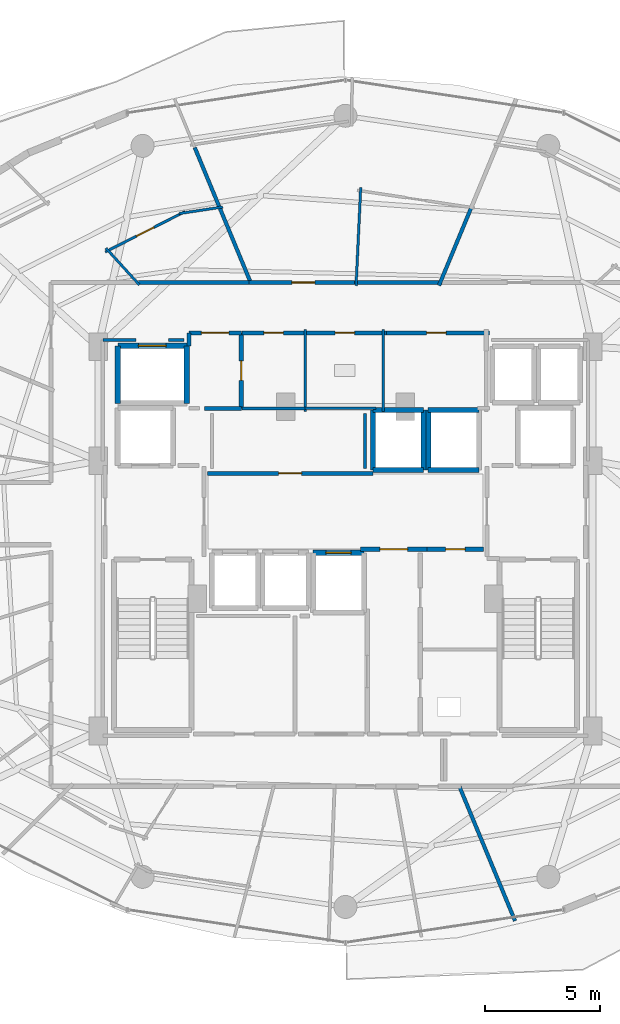
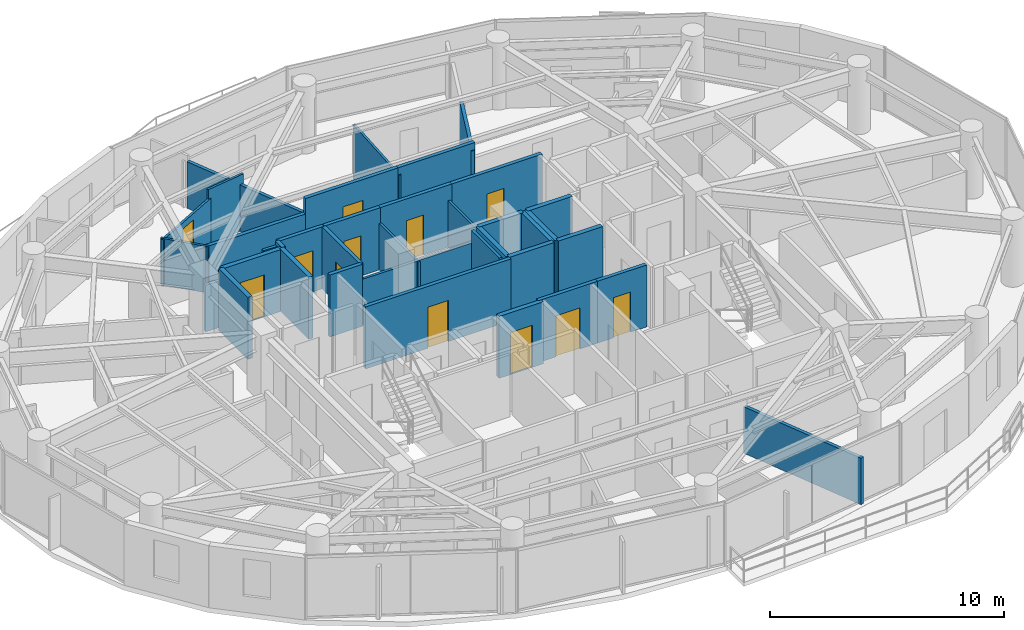
# One storey, part 23 of 29: 38 walls, 12 doors, 12 openings.
"""IFC4 building model written with IfcOpenShell, lengths in metres."""

from ifc_helpers import new_model, si_unit, direction, frame, frame_2d, origin, place, context, subcontext, project, spatial, rectangle, extrude, material, layer, layer_set, type_object, element, fill, save


model = new_model("IFC4")

# Units and contexts
model_context = context("Model", 3, precision=1e-05, world=origin(), true_north=direction((0.0, 1.0)))
body_context = subcontext(model_context, "Body", "Model", "MODEL_VIEW")
ifc_project = project(units=[si_unit("LENGTHUNIT", "METRE"), si_unit("AREAUNIT", "SQUARE_METRE"), si_unit("VOLUMEUNIT", "CUBIC_METRE"), si_unit("PLANEANGLEUNIT", "RADIAN"), si_unit("MASSUNIT", "GRAM", prefix="KILO")], contexts=[model_context])

# Site, building, storey
site_placement = place(None, origin())
site = spatial("IfcSite", under=ifc_project, at=site_placement, CompositionType="ELEMENT")
building_placement = place(site_placement, origin())
building = spatial("IfcBuilding", under=site, at=building_placement, Name="Vorneva Point Tower", CompositionType="ELEMENT")
storey_placement = place(building_placement, frame((0.0, 0.0, 167.60009765625)))
storey = spatial("IfcBuildingStorey", under=building, at=storey_placement, Name="L45", CompositionType="ELEMENT", Elevation=167.60009765625)

# Walls
ifc_material_1 = material(Name="Fire-rated acoustic gypsum stud partition", Category="gypsum")
ifc_layer_1 = layer(ifc_material_1, 0.110107421875)
ifc_layer_set_1 = layer_set([ifc_layer_1], Name="Fire-rated acoustic gypsum stud partition")
wall_type_1 = type_object("IfcWallType", Name="WL-PART-110", PredefinedType="PARTITIONING", material=ifc_layer_set_1)
for number, where, z_axis, x_axis, name in (
    (1, (36.25, 30.340087890625, 0.0), (0.0, 0.0, 1.0), (0.0, 1.0, 0.0), "L45 Interior Partition 019"),
    (2, (39.64990234375, 30.340087890625, 0.0), (0.0, 0.0, 1.0), (0.0, 1.0, 0.0), "L45 Interior Partition 022"),
):
    element("IfcWall", number, at=place(storey_placement, frame(where, z_axis=z_axis, x_axis=x_axis)), inside=storey, type_object=wall_type_1, Name=name, PredefinedType="PARTITIONING", context=body_context, shape_type="SweptSolid", body=[
        extrude(rectangle(XDim=3.559814453125, YDim=0.110107421875, at=frame_2d((1.77978515625, 0.0))), origin(), (0.0, 0.0, 1.0), 2.431884765625),
    ])
wall_1_placement = place(storey_placement, frame((36.159912109375, 30.47998046875, 0.0), z_axis=(0.0, 0.0, 1.0), x_axis=(1.0, 0.0, 0.0)))
element("IfcWall", 3, at=wall_1_placement, inside=storey, type_object=wall_type_1, Name="L45 Interior Partition 023", PredefinedType="PARTITIONING", context=body_context, shape_type="SweptSolid", body=[
    extrude(rectangle(XDim=3.16015625, YDim=0.110107421875, at=frame_2d((1.580078125, 0.0))), origin(), (0.0, 0.0, 1.0), 2.431884765625),
])
wall_2_placement = place(storey_placement, frame((38.46240234375, 35.810302734375, 0.0), z_axis=(0.0, 0.0, 1.0), x_axis=(0.047098053516, 0.998890270928, 0.0)))
element("IfcWall", 4, at=wall_2_placement, inside=storey, type_object=wall_type_1, Name="L45 Interior Partition 071", PredefinedType="PARTITIONING", context=body_context, shape_type="SweptSolid", body=[
    extrude(rectangle(XDim=4.271240234375, YDim=0.110107421875, at=frame_2d((2.1357421875, 0.0))), origin(), (0.0, 0.0, 1.0), 2.8740234375),
])
wall_3_placement = place(storey_placement, frame((29.040283203125, 35.846435546875, 0.0), z_axis=(0.0, 0.0, 1.0), x_axis=(-0.672886377769, 0.739745850014, 0.0)))
element("IfcWall", 5, at=wall_3_placement, inside=storey, type_object=wall_type_1, Name="L45 Interior Partition 077", PredefinedType="PARTITIONING", context=body_context, shape_type="SweptSolid", body=[
    extrude(rectangle(XDim=2.16162109375, YDim=0.110107421875, at=frame_2d((1.080810546875, 0.0))), origin(), (0.0, 0.0, 1.0), 2.431884765625),
])

# Wall, opening, door
wall_4_placement = place(storey_placement, frame((27.55517578125, 37.27880859375, 0.0), z_axis=(0.0, 0.0, 1.0), x_axis=(0.892457700076, 0.451131082475, 0.0)))
wall_4 = element("IfcWall", 6, at=wall_4_placement, inside=storey, type_object=wall_type_1, Name="L45 Interior Partition 078", PredefinedType="PARTITIONING", context=body_context, shape_type="SweptSolid", body=[
    extrude(rectangle(XDim=3.884521484375, YDim=0.110107421875, at=frame_2d((1.9423828125, 0.0))), origin(), (0.0, 0.0, 1.0), 2.431884765625),
])
opening_1_placement = place(wall_4_placement, frame((1.517333984375, 0.0, 0.0)))
opening_1 = element("IfcOpeningElement", 7, at=opening_1_placement, cuts=wall_4, Name="Opening ID-02", PredefinedType="OPENING", context=body_context, shape_type="SweptSolid", body=[
    extrude(rectangle(XDim=0.85009765625, YDim=2.10009765625, at=frame_2d((0.425048828125, 1.050048828125))), frame((0.0, 0.06982421875, 0.0), z_axis=(0.0, -1.0, 0.0), x_axis=(1.0, 0.0, 0.0)), (0.0, 0.0, 1.0), 0.139892578125),
])
ifc_material_2 = material(Name="Engineered oak fire-rated door leaf", Category="wood")
door_type_1 = type_object("IfcDoorType", Name="DR-BATH-850", OperationType="NOTDEFINED", PredefinedType="DOOR", material=ifc_material_2)
door_1_placement = place(opening_1_placement, origin())
door_1 = element("IfcDoor", 8, at=door_1_placement, inside=storey, type_object=door_type_1, Name="L45 Door Studio Apartment L45-03 / Bathroom L45-03", OperationType="SINGLE_SWING_LEFT", OverallHeight=2.10009765625, OverallWidth=0.85009765625, PredefinedType="DOOR", context=body_context, shape_type="SweptSolid", body=[
    extrude(rectangle(XDim=0.85009765625, YDim=2.10009765625, at=frame_2d((0.425048828125, 1.050048828125))), frame((0.0, 0.02490234375, 0.0), z_axis=(0.0, -1.0, 0.0), x_axis=(1.0, 0.0, 0.0)), (0.0, 0.0, 1.0), 0.050048828125),
])
fill(opening_1, door_1)

# Walls
wall_5_placement = place(storey_placement, frame((30.758544921875, 38.947265625, 0.0), z_axis=(0.0, 0.0, 1.0), x_axis=(0.988889867338, 0.148650026153, 0.0)))
element("IfcWall", 9, at=wall_5_placement, inside=storey, type_object=wall_type_1, Name="L45 Interior Partition 079", PredefinedType="PARTITIONING", context=body_context, shape_type="SweptSolid", body=[
    extrude(rectangle(XDim=1.92822265625, YDim=0.110107421875, at=frame_2d((0.964111328125, 0.0))), origin(), (0.0, 0.0, 1.0), 2.928955078125),
])
ifc_layer_2 = layer(ifc_material_1, 0.125)
ifc_layer_set_2 = layer_set([ifc_layer_2], Name="Fire-rated acoustic gypsum stud partition")
wall_type_2 = type_object("IfcWallType", Name="WL-PART-125", PredefinedType="PARTITIONING", material=ifc_layer_set_2)
wall_6_placement = place(storey_placement, frame((33.5, 30.47998046875, 0.0), z_axis=(0.0, 0.0, 1.0), x_axis=(1.0, 0.0, 0.0)))
element("IfcWall", 10, at=wall_6_placement, inside=storey, type_object=wall_type_2, Name="L45 Interior Partition 020", PredefinedType="PARTITIONING", context=body_context, shape_type="SweptSolid", body=[
    extrude(rectangle(XDim=2.75, YDim=0.125, at=frame_2d((1.375, 0.0))), origin(), (0.0, 0.0, 1.0), 2.431884765625),
])
ifc_layer_3 = layer(ifc_material_1, 0.139892578125)
ifc_layer_set_3 = layer_set([ifc_layer_3], Name="Fire-rated acoustic gypsum stud partition")
wall_type_3 = type_object("IfcWallType", Name="WL-PART-140", PredefinedType="PARTITIONING", material=ifc_layer_set_3)
wall_7_placement = place(storey_placement, frame((38.85009765625, 27.8701171875, 0.0), z_axis=(0.0, 0.0, 1.0), x_axis=(0.0, 1.0, 0.0)))
element("IfcWall", 11, at=wall_7_placement, inside=storey, type_object=wall_type_3, Name="L45 Interior Closure Partition 120", PredefinedType="PARTITIONING", context=body_context, shape_type="SweptSolid", body=[
    extrude(rectangle(XDim=2.389892578125, YDim=0.139892578125, at=frame_2d((1.19482421875, 0.0))), origin(), (0.0, 0.0, 1.0), 3.239990234375),
])
wall_8_placement = place(storey_placement, frame((30.97998046875, 33.449951171875, 0.0), z_axis=(0.0, 0.0, 1.0), x_axis=(-1.0, 0.0, 0.0)))
element("IfcWall", 12, at=wall_8_placement, inside=storey, type_object=wall_type_3, Name="L45 Interior Closure Partition 124", PredefinedType="PARTITIONING", context=body_context, shape_type="SweptSolid", body=[
    extrude(rectangle(XDim=0.674072265625, YDim=0.139892578125, at=frame_2d((0.3369140625, 0.0))), origin(), (0.0, 0.0, 1.0), 3.239990234375),
])
wall_9_placement = place(storey_placement, frame((28.89404296875, 33.449951171875, 0.0), z_axis=(0.0, 0.0, 1.0), x_axis=(-1.0, 0.0, 0.0)))
element("IfcWall", 13, at=wall_9_placement, inside=storey, type_object=wall_type_3, Name="L45 Interior Closure Partition 125", PredefinedType="PARTITIONING", context=body_context, shape_type="SweptSolid", body=[
    extrude(rectangle(XDim=1.444091796875, YDim=0.139892578125, at=frame_2d((0.72216796875, 0.0))), origin(), (0.0, 0.0, 1.0), 2.431884765625),
])
ifc_layer_4 = layer(ifc_material_1, 0.159912109375)
ifc_layer_set_4 = layer_set([ifc_layer_4], Name="Fire-rated acoustic gypsum stud partition")
wall_type_4 = type_object("IfcWallType", Name="WL-PART-160", PredefinedType="PARTITIONING", material=ifc_layer_set_4)
wall_10_placement = place(storey_placement, frame((43.503173828125, 39.28515625, 0.0), z_axis=(0.0, 0.0, 1.0), x_axis=(-0.382867331148, -0.923803337697, 0.0)))
element("IfcWall", 14, at=wall_10_placement, inside=storey, type_object=wall_type_4, Name="L45 Interior Partition 068", PredefinedType="PARTITIONING", context=body_context, shape_type="SweptSolid", body=[
    extrude(rectangle(XDim=3.75, YDim=0.159912109375, at=frame_2d((1.875, 0.0))), origin(), (0.0, 0.0, 1.0), 2.8740234375),
])
wall_11_placement = place(storey_placement, frame((31.448486328125, 41.816650390625, 0.0), z_axis=(0.0, 0.0, 1.0), x_axis=(0.382730952295, -0.92385984768, 0.0)))
element("IfcWall", 15, at=wall_11_placement, inside=storey, type_object=wall_type_4, Name="L45 Interior Partition 076", PredefinedType="PARTITIONING", context=body_context, shape_type="SweptSolid", body=[
    extrude(rectangle(XDim=6.35009765625, YDim=0.159912109375, at=frame_2d((3.175048828125, 0.0))), origin(), (0.0, 0.0, 1.0), 2.431884765625),
])
wall_12_placement = place(storey_placement, frame((45.3759765625, 8.193115234375, 0.0), z_axis=(0.0, 0.0, 1.0), x_axis=(-0.382683979298, 0.923879305964, 0.0)))
element("IfcWall", 16, at=wall_12_placement, inside=storey, type_object=wall_type_4, Name="L45 Interior Partition 111", PredefinedType="PARTITIONING", context=body_context, shape_type="SweptSolid", body=[
    extrude(rectangle(XDim=6.339599609375, YDim=0.159912109375, at=frame_2d((3.169921875, 0.0))), origin(), (0.0, 0.0, 1.0), 2.431884765625),
])

# Wall, opening, door
ifc_material_3 = material(Name="Autoclaved aerated concrete blockwork", Category="masonry")
ifc_layer_5 = layer(ifc_material_3, 0.179931640625)
ifc_layer_set_5 = layer_set([ifc_layer_5], Name="Autoclaved aerated concrete blockwork")
wall_type_5 = type_object("IfcWallType", Name="WL-PART-180", PredefinedType="PARTITIONING", material=ifc_layer_set_5)
wall_13_placement = place(storey_placement, frame((33.469970703125, 30.47998046875, 0.0), z_axis=(0.0, 0.0, 1.0), x_axis=(0.0, 1.0, 0.0)))
wall_13 = element("IfcWall", 17, at=wall_13_placement, inside=storey, type_object=wall_type_5, Name="L45 Interior Partition 006", PredefinedType="PARTITIONING", context=body_context, shape_type="SweptSolid", body=[
    extrude(rectangle(XDim=3.280029296875, YDim=0.179931640625, at=frame_2d((1.64013671875, 0.0))), origin(), (0.0, 0.0, 1.0), 3.239990234375),
])
opening_2_placement = place(wall_13_placement, frame((1.215087890625, 0.0, 0.0)))
opening_2 = element("IfcOpeningElement", 18, at=opening_2_placement, cuts=wall_13, Name="Opening ID-02", PredefinedType="OPENING", context=body_context, shape_type="SweptSolid", body=[
    extrude(rectangle(XDim=0.85009765625, YDim=2.10009765625, at=frame_2d((0.425048828125, 1.050048828125))), frame((0.0, 0.10498046875, 0.0), z_axis=(0.0, -1.0, 0.0), x_axis=(1.0, 0.0, 0.0)), (0.0, 0.0, 1.0), 0.209716796875),
])
door_2_placement = place(opening_2_placement, origin())
door_2 = element("IfcDoor", 19, at=door_2_placement, inside=storey, type_object=door_type_1, Name="L45 Door Service Lift Lobby / Core Supply Store", OperationType="SINGLE_SWING_RIGHT", OverallHeight=2.10009765625, OverallWidth=0.85009765625, PredefinedType="DOOR", context=body_context, shape_type="SweptSolid", body=[
    extrude(rectangle(XDim=0.85009765625, YDim=2.10009765625, at=frame_2d((0.425048828125, 1.050048828125))), frame((0.0, 0.02490234375, 0.0), z_axis=(0.0, -1.0, 0.0), x_axis=(1.0, 0.0, 0.0)), (0.0, 0.0, 1.0), 0.050048828125),
])
fill(opening_2, door_2)

# Wall
wall_14_placement = place(storey_placement, frame((31.8701171875, 30.47998046875, 0.0), z_axis=(0.0, 0.0, 1.0), x_axis=(1.0, 0.0, 0.0)))
element("IfcWall", 20, at=wall_14_placement, inside=storey, type_object=wall_type_5, Name="L45 Interior Partition 007", PredefinedType="PARTITIONING", context=body_context, shape_type="SweptSolid", body=[
    extrude(rectangle(XDim=1.599853515625, YDim=0.179931640625, at=frame_2d((0.7998046875, 0.0))), origin(), (0.0, 0.0, 1.0), 3.239990234375),
])

# Wall, opening, door
wall_15_placement = place(storey_placement, frame((33.469970703125, 33.760009765625, 0.0), z_axis=(0.0, 0.0, 1.0), x_axis=(-1.0, 0.0, 0.0)))
wall_15 = element("IfcWall", 21, at=wall_15_placement, inside=storey, type_object=wall_type_5, Name="L45 Interior Partition 008", PredefinedType="PARTITIONING", context=body_context, shape_type="SweptSolid", body=[
    extrude(rectangle(XDim=2.27001953125, YDim=0.179931640625, at=frame_2d((1.135009765625, 0.0))), origin(), (0.0, 0.0, 1.0), 3.239990234375),
])
opening_3_placement = place(wall_15_placement, frame((0.534912109375, 0.0, 0.0)))
opening_3 = element("IfcOpeningElement", 22, at=opening_3_placement, cuts=wall_15, Name="Opening FD-02", PredefinedType="OPENING", context=body_context, shape_type="SweptSolid", body=[
    extrude(rectangle(XDim=1.199951171875, YDim=2.14990234375, at=frame_2d((0.60009765625, 1.074951171875))), frame((0.0, 0.10498046875, 0.0), z_axis=(0.0, -1.0, 0.0), x_axis=(1.0, 0.0, 0.0)), (0.0, 0.0, 1.0), 0.209716796875),
])
ifc_material_4 = material(Name="Fire-rated powder-coated steel", Category="steel")
door_type_2 = type_object("IfcDoorType", Name="DR-FFL-1200", OperationType="NOTDEFINED", PredefinedType="DOOR", material=ifc_material_4)
door_3_placement = place(opening_3_placement, origin())
door_3 = element("IfcDoor", 23, at=door_3_placement, inside=storey, type_object=door_type_2, Name="L45 Door Service Lift Lobby / L45 Circulation Corridor", OperationType="SINGLE_SWING_LEFT", OverallHeight=2.14990234375, OverallWidth=1.199951171875, PredefinedType="DOOR", context=body_context, shape_type="SweptSolid", body=[
    extrude(rectangle(XDim=1.199951171875, YDim=2.14990234375, at=frame_2d((0.60009765625, 1.074951171875))), frame((0.0, 0.02490234375, 0.0), z_axis=(0.0, -1.0, 0.0), x_axis=(1.0, 0.0, 0.0)), (0.0, 0.0, 1.0), 0.050048828125),
])
fill(opening_3, door_3)

# Wall
wall_16_placement = place(storey_placement, frame((31.199951171875, 33.760009765625, 0.0), z_axis=(0.0, 0.0, 1.0), x_axis=(0.0, -1.0, 0.0)))
element("IfcWall", 24, at=wall_16_placement, inside=storey, type_object=wall_type_5, Name="L45 Interior Partition 009", PredefinedType="PARTITIONING", context=body_context, shape_type="SweptSolid", body=[
    extrude(rectangle(XDim=0.56005859375, YDim=0.179931640625, at=frame_2d((0.280029296875, 0.0))), origin(), (0.0, 0.0, 1.0), 3.239990234375),
])

# Wall, opening, door
wall_17_placement = place(storey_placement, frame((38.64501953125, 24.35009765625, 0.0), z_axis=(0.0, 0.0, 1.0), x_axis=(1.0, 0.0, 0.0)))
wall_17 = element("IfcWall", 25, at=wall_17_placement, inside=storey, type_object=wall_type_5, Name="L45 Interior Partition 010", PredefinedType="PARTITIONING", context=body_context, shape_type="SweptSolid", body=[
    extrude(rectangle(XDim=2.909912109375, YDim=0.179931640625, at=frame_2d((1.455078125, 0.0))), origin(), (0.0, 0.0, 1.0), 3.239990234375),
])
opening_4_placement = place(wall_17_placement, frame((0.85498046875, 0.0, 0.0)))
opening_4 = element("IfcOpeningElement", 26, at=opening_4_placement, cuts=wall_17, Name="Opening FD-02", PredefinedType="OPENING", context=body_context, shape_type="SweptSolid", body=[
    extrude(rectangle(XDim=1.199951171875, YDim=2.14990234375, at=frame_2d((0.60009765625, 1.074951171875))), frame((0.0, 0.10498046875, 0.0), z_axis=(0.0, -1.0, 0.0), x_axis=(1.0, 0.0, 0.0)), (0.0, 0.0, 1.0), 0.209716796875),
])
door_4_placement = place(opening_4_placement, origin())
door_4 = element("IfcDoor", 27, at=door_4_placement, inside=storey, type_object=door_type_2, Name="L45 Door Central Lift Lobby / Core Service Lobby", OperationType="SINGLE_SWING_RIGHT", OverallHeight=2.14990234375, OverallWidth=1.199951171875, PredefinedType="DOOR", context=body_context, shape_type="SweptSolid", body=[
    extrude(rectangle(XDim=1.199951171875, YDim=2.14990234375, at=frame_2d((0.60009765625, 1.074951171875))), frame((0.0, 0.02490234375, 0.0), z_axis=(0.0, -1.0, 0.0), x_axis=(1.0, 0.0, 0.0)), (0.0, 0.0, 1.0), 0.050048828125),
])
fill(opening_4, door_4)

wall_18_placement = place(storey_placement, frame((41.554931640625, 24.35009765625, 0.0), z_axis=(0.0, 0.0, 1.0), x_axis=(1.0, 0.0, 0.0)))
wall_18 = element("IfcWall", 28, at=wall_18_placement, inside=storey, type_object=wall_type_5, Name="L45 Interior Partition 011", PredefinedType="PARTITIONING", context=body_context, shape_type="SweptSolid", body=[
    extrude(rectangle(XDim=2.445068359375, YDim=0.179931640625, at=frame_2d((1.22265625, 0.0))), origin(), (0.0, 0.0, 1.0), 3.239990234375),
])
opening_5_placement = place(wall_18_placement, frame((0.797607421875, 0.0, 0.0)))
opening_5 = element("IfcOpeningElement", 29, at=opening_5_placement, cuts=wall_18, Name="Opening ID-02", PredefinedType="OPENING", context=body_context, shape_type="SweptSolid", body=[
    extrude(rectangle(XDim=0.85009765625, YDim=2.10009765625, at=frame_2d((0.425048828125, 1.050048828125))), frame((0.0, 0.10498046875, 0.0), z_axis=(0.0, -1.0, 0.0), x_axis=(1.0, 0.0, 0.0)), (0.0, 0.0, 1.0), 0.209716796875),
])
door_5_placement = place(opening_5_placement, origin())
door_5 = element("IfcDoor", 30, at=door_5_placement, inside=storey, type_object=door_type_1, Name="L45 Door Central Lift Lobby / Valet and Parcel Room", OperationType="SINGLE_SWING_LEFT", OverallHeight=2.10009765625, OverallWidth=0.85009765625, PredefinedType="DOOR", context=body_context, shape_type="SweptSolid", body=[
    extrude(rectangle(XDim=0.85009765625, YDim=2.10009765625, at=frame_2d((0.425048828125, 1.050048828125))), frame((0.0, 0.02490234375, 0.0), z_axis=(0.0, -1.0, 0.0), x_axis=(1.0, 0.0, 0.0)), (0.0, 0.0, 1.0), 0.050048828125),
])
fill(opening_5, door_5)

wall_19_placement = place(storey_placement, frame((39.18994140625, 27.64990234375, 0.0), z_axis=(0.0, 0.0, 1.0), x_axis=(-1.0, 0.0, 0.0)))
wall_19 = element("IfcWall", 31, at=wall_19_placement, inside=storey, type_object=wall_type_5, Name="L45 Interior Partition 012", PredefinedType="PARTITIONING", context=body_context, shape_type="SweptSolid", body=[
    extrude(rectangle(XDim=7.18994140625, YDim=0.179931640625, at=frame_2d((3.594970703125, 0.0))), origin(), (0.0, 0.0, 1.0), 3.239990234375),
])
opening_6_placement = place(wall_19_placement, frame((3.094970703125, 0.0, 0.0)))
opening_6 = element("IfcOpeningElement", 32, at=opening_6_placement, cuts=wall_19, Name="Opening UD-01", PredefinedType="OPENING", context=body_context, shape_type="SweptSolid", body=[
    extrude(rectangle(XDim=1.0, YDim=2.14990234375, at=frame_2d((0.5, 1.074951171875))), frame((0.0, 0.10498046875, 0.0), z_axis=(0.0, -1.0, 0.0), x_axis=(1.0, 0.0, 0.0)), (0.0, 0.0, 1.0), 0.209716796875),
])
door_type_3 = type_object("IfcDoorType", Name="DR-UNIT-1000", OperationType="NOTDEFINED", PredefinedType="DOOR", material=ifc_material_2)
door_6_placement = place(opening_6_placement, origin())
door_6 = element("IfcDoor", 33, at=door_6_placement, inside=storey, type_object=door_type_3, Name="L45 Door Central Lift Lobby / Reclaimed Core Meeting Room", OperationType="SINGLE_SWING_RIGHT", OverallHeight=2.14990234375, OverallWidth=1.0, PredefinedType="DOOR", context=body_context, shape_type="SweptSolid", body=[
    extrude(rectangle(XDim=1.0, YDim=2.14990234375, at=frame_2d((0.5, 1.074951171875))), frame((0.0, 0.02490234375, 0.0), z_axis=(0.0, -1.0, 0.0), x_axis=(1.0, 0.0, 0.0)), (0.0, 0.0, 1.0), 0.050048828125),
])
fill(opening_6, door_6)

wall_20_placement = place(storey_placement, frame((36.25, 33.760009765625, 0.0), z_axis=(0.0, 0.0, 1.0), x_axis=(-1.0, 0.0, 0.0)))
wall_20 = element("IfcWall", 34, at=wall_20_placement, inside=storey, type_object=wall_type_5, Name="L45 Interior Partition 021", PredefinedType="PARTITIONING", context=body_context, shape_type="SweptSolid", body=[
    extrude(rectangle(XDim=2.75, YDim=0.179931640625, at=frame_2d((1.375, 0.0))), origin(), (0.0, 0.0, 1.0), 3.239990234375),
])
opening_7_placement = place(wall_20_placement, frame((0.949951171875, 0.0, 0.0)))
opening_7 = element("IfcOpeningElement", 35, at=opening_7_placement, cuts=wall_20, Name="Opening ID-02", PredefinedType="OPENING", context=body_context, shape_type="SweptSolid", body=[
    extrude(rectangle(XDim=0.85009765625, YDim=2.10009765625, at=frame_2d((0.425048828125, 1.050048828125))), frame((0.0, 0.10498046875, 0.0), z_axis=(0.0, -1.0, 0.0), x_axis=(1.0, 0.0, 0.0)), (0.0, 0.0, 1.0), 0.209716796875),
])
door_7_placement = place(opening_7_placement, origin())
door_7 = element("IfcDoor", 36, at=door_7_placement, inside=storey, type_object=door_type_1, Name="L45 Door Core Supply Store / L45 Circulation Corridor", OperationType="SINGLE_SWING_RIGHT", OverallHeight=2.10009765625, OverallWidth=0.85009765625, PredefinedType="DOOR", context=body_context, shape_type="SweptSolid", body=[
    extrude(rectangle(XDim=0.85009765625, YDim=2.10009765625, at=frame_2d((0.425048828125, 1.050048828125))), frame((0.0, 0.02490234375, 0.0), z_axis=(0.0, -1.0, 0.0), x_axis=(1.0, 0.0, 0.0)), (0.0, 0.0, 1.0), 0.050048828125),
])
fill(opening_7, door_7)

wall_21_placement = place(storey_placement, frame((39.7900390625, 33.760009765625, 0.0), z_axis=(0.0, 0.0, 1.0), x_axis=(-1.0, 0.0, 0.0)))
wall_21 = element("IfcWall", 37, at=wall_21_placement, inside=storey, type_object=wall_type_5, Name="L45 Interior Partition 024", PredefinedType="PARTITIONING", context=body_context, shape_type="SweptSolid", body=[
    extrude(rectangle(XDim=3.630126953125, YDim=0.179931640625, at=frame_2d((1.81494140625, 0.0))), origin(), (0.0, 0.0, 1.0), 3.239990234375),
])
opening_8_placement = place(wall_21_placement, frame((1.389892578125, 0.0, 0.0)))
opening_8 = element("IfcOpeningElement", 38, at=opening_8_placement, cuts=wall_21, Name="Opening ID-02", PredefinedType="OPENING", context=body_context, shape_type="SweptSolid", body=[
    extrude(rectangle(XDim=0.85009765625, YDim=2.10009765625, at=frame_2d((0.425048828125, 1.050048828125))), frame((0.0, 0.10498046875, 0.0), z_axis=(0.0, -1.0, 0.0), x_axis=(1.0, 0.0, 0.0)), (0.0, 0.0, 1.0), 0.209716796875),
])
door_8_placement = place(opening_8_placement, origin())
door_8 = element("IfcDoor", 39, at=door_8_placement, inside=storey, type_object=door_type_1, Name="L45 Door Accessible WC / L45 Circulation Corridor", OperationType="SINGLE_SWING_LEFT", OverallHeight=2.10009765625, OverallWidth=0.85009765625, PredefinedType="DOOR", context=body_context, shape_type="SweptSolid", body=[
    extrude(rectangle(XDim=0.85009765625, YDim=2.10009765625, at=frame_2d((0.425048828125, 1.050048828125))), frame((0.0, 0.02490234375, 0.0), z_axis=(0.0, -1.0, 0.0), x_axis=(1.0, 0.0, 0.0)), (0.0, 0.0, 1.0), 0.050048828125),
])
fill(opening_8, door_8)

wall_22_placement = place(storey_placement, frame((44.260009765625, 33.760009765625, 0.0), z_axis=(0.0, 0.0, 1.0), x_axis=(-1.0, 0.0, 0.0)))
wall_22 = element("IfcWall", 40, at=wall_22_placement, inside=storey, type_object=wall_type_5, Name="L45 Interior Partition 025", PredefinedType="PARTITIONING", context=body_context, shape_type="SweptSolid", body=[
    extrude(rectangle(XDim=4.610107421875, YDim=0.179931640625, at=frame_2d((2.30517578125, 0.0))), origin(), (0.0, 0.0, 1.0), 3.239990234375),
])
opening_9_placement = place(wall_22_placement, frame((1.8798828125, 0.0, 0.0)))
opening_9 = element("IfcOpeningElement", 41, at=opening_9_placement, cuts=wall_22, Name="Opening ID-02", PredefinedType="OPENING", context=body_context, shape_type="SweptSolid", body=[
    extrude(rectangle(XDim=0.85009765625, YDim=2.10009765625, at=frame_2d((0.425048828125, 1.050048828125))), frame((0.0, 0.10498046875, 0.0), z_axis=(0.0, -1.0, 0.0), x_axis=(1.0, 0.0, 0.0)), (0.0, 0.0, 1.0), 0.209716796875),
])
door_9_placement = place(opening_9_placement, origin())
door_9 = element("IfcDoor", 42, at=door_9_placement, inside=storey, type_object=door_type_1, Name="L45 Door Public WC / L45 Circulation Corridor", OperationType="SINGLE_SWING_RIGHT", OverallHeight=2.10009765625, OverallWidth=0.85009765625, PredefinedType="DOOR", context=body_context, shape_type="SweptSolid", body=[
    extrude(rectangle(XDim=0.85009765625, YDim=2.10009765625, at=frame_2d((0.425048828125, 1.050048828125))), frame((0.0, 0.02490234375, 0.0), z_axis=(0.0, -1.0, 0.0), x_axis=(1.0, 0.0, 0.0)), (0.0, 0.0, 1.0), 0.050048828125),
])
fill(opening_9, door_9)

wall_23_placement = place(storey_placement, frame((38.529052734375, 35.949951171875, 0.0), z_axis=(0.0, 0.0, 1.0), x_axis=(-1.0, 0.0, 0.0)))
wall_23 = element("IfcWall", 43, at=wall_23_placement, inside=storey, type_object=wall_type_5, Name="L45 Interior Partition 033", PredefinedType="PARTITIONING", context=body_context, shape_type="SweptSolid", body=[
    extrude(rectangle(XDim=4.715087890625, YDim=0.179931640625, at=frame_2d((2.357421875, 0.0))), origin(), (0.0, 0.0, 1.0), 3.239990234375),
])
opening_10_placement = place(wall_23_placement, frame((1.857421875, 0.0, 0.0)))
opening_10 = element("IfcOpeningElement", 44, at=opening_10_placement, cuts=wall_23, Name="Opening UD-01", PredefinedType="OPENING", context=body_context, shape_type="SweptSolid", body=[
    extrude(rectangle(XDim=1.0, YDim=2.14990234375, at=frame_2d((0.5, 1.074951171875))), frame((0.0, 0.10498046875, 0.0), z_axis=(0.0, -1.0, 0.0), x_axis=(1.0, 0.0, 0.0)), (0.0, 0.0, 1.0), 0.209716796875),
])
door_10_placement = place(opening_10_placement, origin())
door_10 = element("IfcDoor", 45, at=door_10_placement, inside=storey, type_object=door_type_3, Name="L45 Door L45 Circulation Corridor / Studio Apartment L45-02", OperationType="SINGLE_SWING_RIGHT", OverallHeight=2.14990234375, OverallWidth=1.0, PredefinedType="DOOR", context=body_context, shape_type="SweptSolid", body=[
    extrude(rectangle(XDim=1.0, YDim=2.14990234375, at=frame_2d((0.5, 1.074951171875))), frame((0.0, 0.02490234375, 0.0), z_axis=(0.0, -1.0, 0.0), x_axis=(1.0, 0.0, 0.0)), (0.0, 0.0, 1.0), 0.050048828125),
])
fill(opening_10, door_10)

# Walls
wall_24_placement = place(storey_placement, frame((42.200927734375, 35.949951171875, 0.0), z_axis=(0.0, 0.0, 1.0), x_axis=(-1.0, 0.0, 0.0)))
element("IfcWall", 46, at=wall_24_placement, inside=storey, type_object=wall_type_5, Name="L45 Interior Partition 034", PredefinedType="PARTITIONING", context=body_context, shape_type="SweptSolid", body=[
    extrude(rectangle(XDim=3.81201171875, YDim=0.179931640625, at=frame_2d((1.906005859375, 0.0))), origin(), (0.0, 0.0, 1.0), 3.239990234375),
])
wall_25_placement = place(storey_placement, frame((33.9541015625, 35.949951171875, 0.0), z_axis=(0.0, 0.0, 1.0), x_axis=(-1.0, 0.0, 0.0)))
element("IfcWall", 47, at=wall_25_placement, inside=storey, type_object=wall_type_5, Name="L45 Interior Partition 037", PredefinedType="PARTITIONING", context=body_context, shape_type="SweptSolid", body=[
    extrude(rectangle(XDim=5.088134765625, YDim=0.179931640625, at=frame_2d((2.5439453125, 0.0))), origin(), (0.0, 0.0, 1.0), 2.431884765625),
])

# Wall, opening, door
ifc_material_5 = material(Name="Concrete B50 (C40/50)", Category="concrete")
ifc_layer_6 = layer(ifc_material_5, 0.219970703125)
ifc_layer_set_6 = layer_set([ifc_layer_6], Name="Concrete B50 (C40/50)")
wall_type_6 = type_object("IfcWallType", Name="WL-SHFT-220", PredefinedType="SOLIDWALL", material=ifc_layer_set_6)
wall_26_placement = place(storey_placement, frame((38.800048828125, 24.199951171875, 0.0), z_axis=(0.0, 0.0, 1.0), x_axis=(-1.0, 0.0, 0.0)))
wall_26 = element("IfcWall", 48, at=wall_26_placement, inside=storey, type_object=wall_type_6, Name="L45 Lift PL6 Shaft Wall +Y", PredefinedType="SOLIDWALL", context=body_context, shape_type="SweptSolid", body=[
    extrude(rectangle(XDim=2.199951171875, YDim=0.219970703125, at=frame_2d((1.10009765625, 0.0))), origin(), (0.0, 0.0, 1.0), 3.239990234375),
])
opening_11_placement = place(wall_26_placement, frame((0.550048828125, 0.0, 0.0)))
opening_11 = element("IfcOpeningElement", 49, at=opening_11_placement, cuts=wall_26, Name="Opening LD-01", PredefinedType="OPENING", context=body_context, shape_type="SweptSolid", body=[
    extrude(rectangle(XDim=1.10009765625, YDim=2.199951171875, at=frame_2d((0.550048828125, 1.10009765625))), frame((0.0, 0.125, 0.0), z_axis=(0.0, -1.0, 0.0), x_axis=(1.0, 0.0, 0.0)), (0.0, 0.0, 1.0), 0.249755859375),
])
ifc_material_6 = material(Name="Brushed stainless steel S304", Category="steel")
door_type_4 = type_object("IfcDoorType", Name="LD-PASS-1100", OperationType="SLIDING_TO_LEFT", PredefinedType="DOOR", material=ifc_material_6)
door_11_placement = place(opening_11_placement, origin())
door_11 = element("IfcDoor", 50, at=door_11_placement, inside=storey, type_object=door_type_4, Name="L45 Lift PL6 Sliding Landing Door", OperationType="SLIDING_TO_LEFT", OverallHeight=2.199951171875, OverallWidth=1.10009765625, PredefinedType="DOOR", context=body_context, shape_type="SweptSolid", body=[
    extrude(rectangle(XDim=1.10009765625, YDim=2.199951171875, at=frame_2d((0.550048828125, 1.10009765625))), frame((0.0, 0.02490234375, 0.0), z_axis=(0.0, -1.0, 0.0), x_axis=(1.0, 0.0, 0.0)), (0.0, 0.0, 1.0), 0.050048828125),
])
fill(opening_11, door_11)

# Walls
wall_27_placement = place(storey_placement, frame((39.199951171875, 27.800048828125, 0.0), z_axis=(0.0, 0.0, 1.0), x_axis=(1.0, 0.0, 0.0)))
element("IfcWall", 51, at=wall_27_placement, inside=storey, type_object=wall_type_6, Name="L45 Lift PL7 Shaft Wall -Y", PredefinedType="SOLIDWALL", context=body_context, shape_type="SweptSolid", body=[
    extrude(rectangle(XDim=2.199951171875, YDim=0.219970703125, at=frame_2d((1.10009765625, 0.0))), origin(), (0.0, 0.0, 1.0), 3.239990234375),
])
wall_28_placement = place(storey_placement, frame((41.39990234375, 27.800048828125, 0.0), z_axis=(0.0, 0.0, 1.0), x_axis=(0.0, 1.0, 0.0)))
element("IfcWall", 52, at=wall_28_placement, inside=storey, type_object=wall_type_6, Name="L45 Lift PL7 Shaft Wall +X", PredefinedType="SOLIDWALL", context=body_context, shape_type="SweptSolid", body=[
    extrude(rectangle(XDim=2.599853515625, YDim=0.219970703125, at=frame_2d((1.2998046875, 0.0))), origin(), (0.0, 0.0, 1.0), 3.239990234375),
])
wall_29_placement = place(storey_placement, frame((41.39990234375, 30.39990234375, 0.0), z_axis=(0.0, 0.0, 1.0), x_axis=(-1.0, 0.0, 0.0)))
element("IfcWall", 53, at=wall_29_placement, inside=storey, type_object=wall_type_6, Name="L45 Lift PL7 Shaft Wall +Y", PredefinedType="SOLIDWALL", context=body_context, shape_type="SweptSolid", body=[
    extrude(rectangle(XDim=2.199951171875, YDim=0.219970703125, at=frame_2d((1.10009765625, 0.0))), origin(), (0.0, 0.0, 1.0), 3.239990234375),
])
wall_30_placement = place(storey_placement, frame((39.199951171875, 30.39990234375, 0.0), z_axis=(0.0, 0.0, 1.0), x_axis=(0.0, -1.0, 0.0)))
element("IfcWall", 54, at=wall_30_placement, inside=storey, type_object=wall_type_6, Name="L45 Lift PL7 Shaft Wall -X", PredefinedType="SOLIDWALL", context=body_context, shape_type="SweptSolid", body=[
    extrude(rectangle(XDim=2.599853515625, YDim=0.219970703125, at=frame_2d((1.2998046875, 0.0))), origin(), (0.0, 0.0, 1.0), 3.239990234375),
])
for number, where, z_axis, x_axis, name in (
    (55, (41.60009765625, 27.800048828125, 0.0), (0.0, 0.0, 1.0), (1.0, 0.0, 0.0), "L45 Lift PL8 Shaft Wall -Y"),
    (56, (43.800048828125, 30.39990234375, 0.0), (0.0, 0.0, 1.0), (-1.0, 0.0, 0.0), "L45 Lift PL8 Shaft Wall +Y"),
):
    element("IfcWall", number, at=place(storey_placement, frame(where, z_axis=z_axis, x_axis=x_axis)), inside=storey, type_object=wall_type_6, Name=name, PredefinedType="SOLIDWALL", context=body_context, shape_type="SweptSolid", body=[
        extrude(rectangle(XDim=2.199951171875, YDim=0.219970703125, at=frame_2d((1.10009765625, 0.0))), origin(), (0.0, 0.0, 1.0), 3.239990234375),
    ])
wall_31_placement = place(storey_placement, frame((41.60009765625, 30.39990234375, 0.0), z_axis=(0.0, 0.0, 1.0), x_axis=(0.0, -1.0, 0.0)))
element("IfcWall", 57, at=wall_31_placement, inside=storey, type_object=wall_type_6, Name="L45 Lift PL8 Shaft Wall -X", PredefinedType="SOLIDWALL", context=body_context, shape_type="SweptSolid", body=[
    extrude(rectangle(XDim=2.599853515625, YDim=0.219970703125, at=frame_2d((1.2998046875, 0.0))), origin(), (0.0, 0.0, 1.0), 3.239990234375),
])
wall_32_placement = place(storey_placement, frame((31.10009765625, 30.699951171875, 0.0), z_axis=(0.0, 0.0, 1.0), x_axis=(0.0, 1.0, 0.0)))
element("IfcWall", 58, at=wall_32_placement, inside=storey, type_object=wall_type_6, Name="L45 Lift SVL1 Shaft Wall +X", PredefinedType="SOLIDWALL", context=body_context, shape_type="SweptSolid", body=[
    extrude(rectangle(XDim=2.5, YDim=0.219970703125, at=frame_2d((1.25, 0.0))), origin(), (0.0, 0.0, 1.0), 3.239990234375),
])

# Wall, opening, door
wall_33_placement = place(storey_placement, frame((31.10009765625, 33.199951171875, 0.0), z_axis=(0.0, 0.0, 1.0), x_axis=(-1.0, 0.0, 0.0)))
wall_33 = element("IfcWall", 59, at=wall_33_placement, inside=storey, type_object=wall_type_6, Name="L45 Lift SVL1 Shaft Wall +Y", PredefinedType="SOLIDWALL", context=body_context, shape_type="SweptSolid", body=[
    extrude(rectangle(XDim=3.0, YDim=0.219970703125, at=frame_2d((1.5, 0.0))), origin(), (0.0, 0.0, 1.0), 3.239990234375),
])
opening_12_placement = place(wall_33_placement, frame((0.89990234375, 0.0, 0.0)))
opening_12 = element("IfcOpeningElement", 60, at=opening_12_placement, cuts=wall_33, Name="Opening LD-02", PredefinedType="OPENING", context=body_context, shape_type="SweptSolid", body=[
    extrude(rectangle(XDim=1.199951171875, YDim=2.199951171875, at=frame_2d((0.60009765625, 1.10009765625))), frame((0.0, 0.125, 0.0), z_axis=(0.0, -1.0, 0.0), x_axis=(1.0, 0.0, 0.0)), (0.0, 0.0, 1.0), 0.249755859375),
])
door_type_5 = type_object("IfcDoorType", Name="LD-FIRE-1200", OperationType="SLIDING_TO_LEFT", PredefinedType="DOOR", material=ifc_material_6)
door_12_placement = place(opening_12_placement, origin())
door_12 = element("IfcDoor", 61, at=door_12_placement, inside=storey, type_object=door_type_5, Name="L45 Lift SVL1 Sliding Landing Door", OperationType="SLIDING_TO_LEFT", OverallHeight=2.199951171875, OverallWidth=1.199951171875, PredefinedType="DOOR", context=body_context, shape_type="SweptSolid", body=[
    extrude(rectangle(XDim=1.199951171875, YDim=2.199951171875, at=frame_2d((0.60009765625, 1.10009765625))), frame((0.0, 0.02490234375, 0.0), z_axis=(0.0, -1.0, 0.0), x_axis=(1.0, 0.0, 0.0)), (0.0, 0.0, 1.0), 0.050048828125),
])
fill(opening_12, door_12)

# Wall
wall_34_placement = place(storey_placement, frame((28.10009765625, 33.199951171875, 0.0), z_axis=(0.0, 0.0, 1.0), x_axis=(0.0, -1.0, 0.0)))
element("IfcWall", 62, at=wall_34_placement, inside=storey, type_object=wall_type_6, Name="L45 Lift SVL1 Shaft Wall -X", PredefinedType="SOLIDWALL", context=body_context, shape_type="SweptSolid", body=[
    extrude(rectangle(XDim=2.5, YDim=0.219970703125, at=frame_2d((1.25, 0.0))), origin(), (0.0, 0.0, 1.0), 3.239990234375),
])

save(model, "model.ifc")
